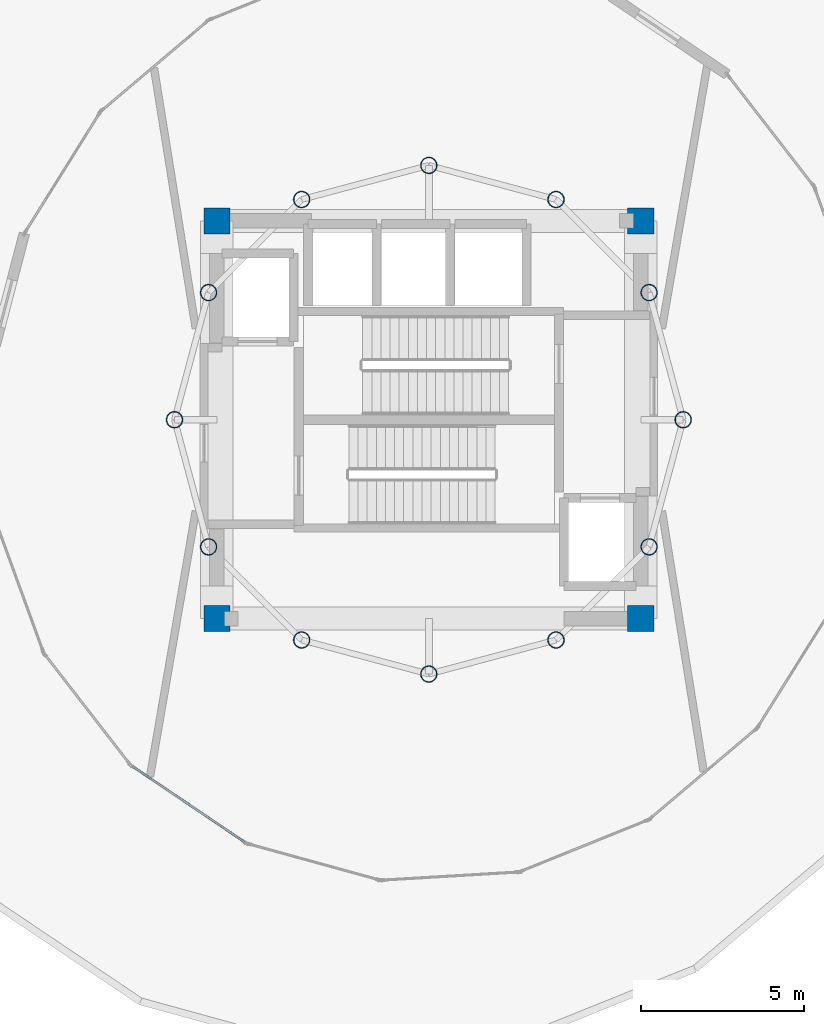
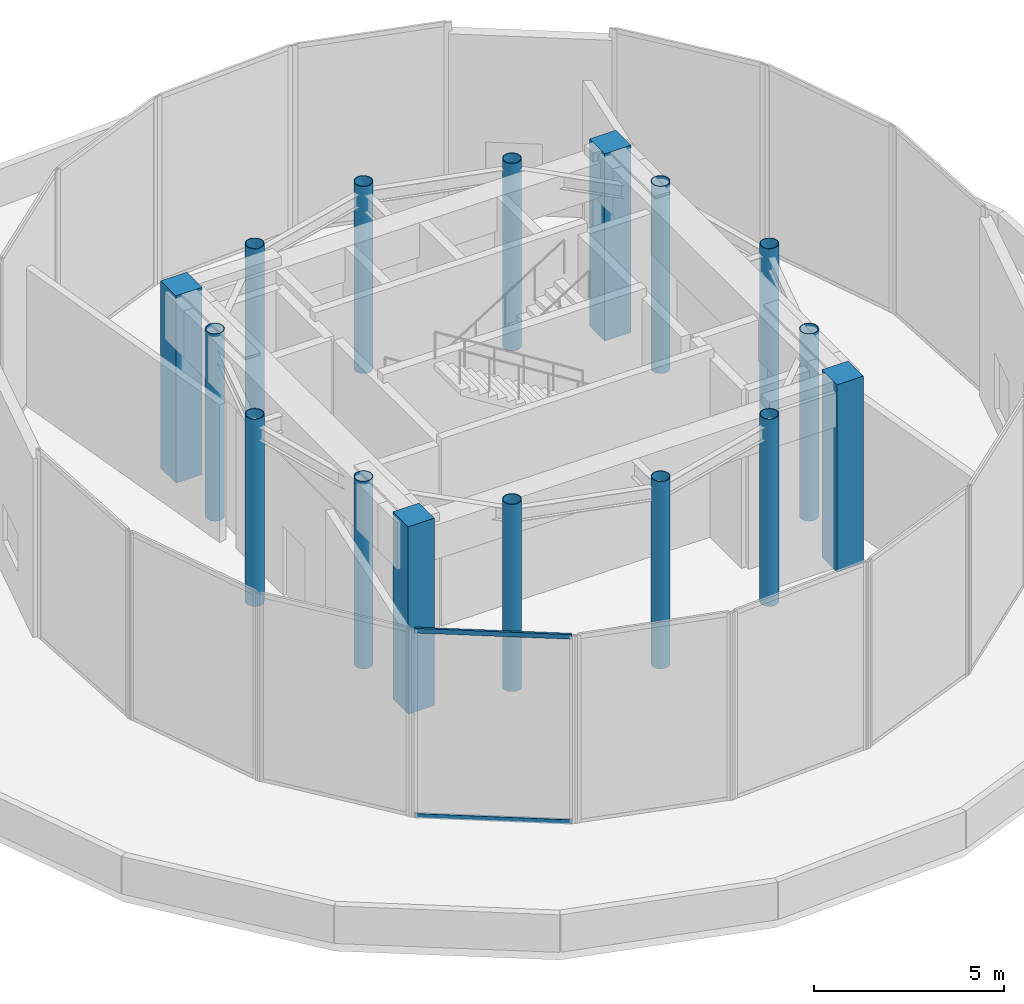
# One storey, part 1 of 12: 16 columns, 2 members, 1 element without a shape of its own.
"""IFC4 building model written with IfcOpenShell, lengths in metres."""

from ifc_helpers import new_model, si_unit, direction, frame, origin, origin_2d, place, context, subcontext, project, spatial, rectangle, hollow_rectangle, hollow_circle, extrude, source, transform, mapped, material, layer, layer_set, material_profile, profile_set, type_object, element, aggregate, save


model = new_model("IFC4")

# Units and contexts
model_context = context("Model", 3, precision=1e-05, world=origin(), true_north=direction((0.0, 1.0)))
body_context = subcontext(model_context, "Body", "Model", "MODEL_VIEW")
ifc_project = project(units=[si_unit("LENGTHUNIT", "METRE"), si_unit("AREAUNIT", "SQUARE_METRE"), si_unit("VOLUMEUNIT", "CUBIC_METRE"), si_unit("PLANEANGLEUNIT", "RADIAN"), si_unit("MASSUNIT", "GRAM", prefix="KILO")], contexts=[model_context])

# Site, building, storey
site_placement = place(None, origin())
site = spatial("IfcSite", under=ifc_project, at=site_placement, CompositionType="ELEMENT")
building_placement = place(site_placement, origin())
building = spatial("IfcBuilding", under=site, at=building_placement, Name="Solvirekh Grand Hotel", CompositionType="ELEMENT")
storey_placement = place(building_placement, frame((0.0, 0.0, 302.199951171875)))
storey = spatial("IfcBuildingStorey", under=building, at=storey_placement, Name="L78", CompositionType="ELEMENT", Elevation=302.199951171875)

# Columns
ifc_material_1 = material(Name="Concrete C50/60", Category="concrete")
ifc_material_profile_1 = material_profile(ifc_material_1, rectangle(XDim=0.800048828125, YDim=0.800048828125, at=origin_2d()), Name="RC 800X800")
ifc_profile_set_1 = profile_set([ifc_material_profile_1], Name="Concrete C50/60")
column_type_1 = type_object("IfcColumnType", Name="Col_Core_800", PredefinedType="COLUMN", material=ifc_profile_set_1)
for number, where, z_axis, x_axis, name in (
    (1, (-6.5, -6.10009765625, 0.0), (0.0, 0.0, 1.0), (1.0, 0.0, 0.0), "L78 core corner column CC1"),
    (2, (6.5, -6.10009765625, 0.0), (0.0, 0.0, 1.0), (1.0, 0.0, 0.0), "L78 core corner column CC2"),
    (3, (6.5, 6.10009765625, 0.0), (0.0, 0.0, 1.0), (1.0, 0.0, 0.0), "L78 core corner column CC3"),
    (4, (-6.5, 6.10009765625, 0.0), (0.0, 0.0, 1.0), (1.0, 0.0, 0.0), "L78 core corner column CC4"),
):
    element("IfcColumn", number, at=place(storey_placement, frame(where, z_axis=z_axis, x_axis=x_axis)), inside=storey, type_object=column_type_1, Name=name, PredefinedType="COLUMN", context=body_context, shape_type="SweptSolid", body=[
        extrude(rectangle(XDim=0.800048828125, YDim=0.800048828125, at=origin_2d()), origin(), (0.0, 0.0, 1.0), 6.0),
    ])
ifc_material_2 = material(Name="Steel S460", Category="steel")
ifc_material_profile_2 = material_profile(ifc_material_2, hollow_circle(Radius=0.25390625, WallThickness=0.02001953125, at=origin_2d()), Name="CHS 508X20")
ifc_profile_set_2 = profile_set([ifc_material_profile_2], Name="Steel S460")
column_type_2 = type_object("IfcColumnType", Name="Col_Crown_CHS508", PredefinedType="COLUMN", material=ifc_profile_set_2)
for number, where, z_axis, x_axis, name in (
    (5, (7.800048828125, 0.0, 0.0), (0.0, 0.0, 1.0), (1.0, 0.0, 0.0), "L78 perimeter column P01"),
    (6, (6.7548828125, 3.89990234375, 0.0), (0.0, 0.0, 1.0), (1.0, 0.0, 0.0), "L78 perimeter column P02"),
    (7, (3.89990234375, 6.7548828125, 0.0), (0.0, 0.0, 1.0), (1.0, 0.0, 0.0), "L78 perimeter column P03"),
    (8, (0.0, 7.800048828125, 0.0), (0.0, 0.0, 1.0), (1.0, 0.0, 0.0), "L78 perimeter column P04"),
    (9, (-3.89990234375, 6.7548828125, 0.0), (0.0, 0.0, 1.0), (1.0, 0.0, 0.0), "L78 perimeter column P05"),
    (10, (-6.7548828125, 3.89990234375, 0.0), (0.0, 0.0, 1.0), (1.0, 0.0, 0.0), "L78 perimeter column P06"),
    (11, (-7.800048828125, 0.0, 0.0), (0.0, 0.0, 1.0), (1.0, 0.0, 0.0), "L78 perimeter column P07"),
    (12, (-6.7548828125, -3.89990234375, 0.0), (0.0, 0.0, 1.0), (1.0, 0.0, 0.0), "L78 perimeter column P08"),
    (13, (-3.89990234375, -6.7548828125, 0.0), (0.0, 0.0, 1.0), (1.0, 0.0, 0.0), "L78 perimeter column P09"),
    (14, (0.0, -7.800048828125, 0.0), (0.0, 0.0, 1.0), (1.0, 0.0, 0.0), "L78 perimeter column P10"),
    (15, (3.89990234375, -6.7548828125, 0.0), (0.0, 0.0, 1.0), (1.0, 0.0, 0.0), "L78 perimeter column P11"),
    (16, (6.7548828125, -3.89990234375, 0.0), (0.0, 0.0, 1.0), (1.0, 0.0, 0.0), "L78 perimeter column P12"),
):
    element("IfcColumn", number, at=place(storey_placement, frame(where, z_axis=z_axis, x_axis=x_axis)), inside=storey, type_object=column_type_2, Name=name, PredefinedType="COLUMN", context=body_context, shape_type="SweptSolid", body=[
        extrude(hollow_circle(Radius=0.25390625, WallThickness=0.02001953125, at=origin_2d()), origin(), (0.0, 0.0, 1.0), 6.0),
    ])

# Curtain wall, members
ifc_material_3 = material(Name="Anodized Bronze Aluminium 6063-T6", Category="aluminium")
ifc_layer = layer(ifc_material_3, 0.219970703125)
ifc_layer_set = layer_set([ifc_layer], Name="Anodized Bronze Aluminium 6063-T6")
curtain_wall_type = type_object("IfcCurtainWallType", Name="CW_Sys6_CrownFacetedPointCW", PredefinedType="NOTDEFINED", material=ifc_layer_set)
curtain_wall_placement = place(storey_placement, origin())
curtain_wall = element("IfcCurtainWall", 17, at=curtain_wall_placement, inside=storey, type_object=curtain_wall_type, Name="L78 unitised bronze-glass curtain wall CW-L78-C19", PredefinedType="NOTDEFINED")
ifc_material_profile_3 = material_profile(ifc_material_3, hollow_rectangle(XDim=0.06494140625, YDim=0.14990234375, WallThickness=0.0048828125, at=origin_2d()), Name="ALU RHS 150X65X5")
ifc_profile_set_3 = profile_set([ifc_material_profile_3], Name="Anodized Bronze Aluminium 6063-T6")
member_type = type_object("IfcMemberType", Name="CWTransom_Sys6", PredefinedType="USERDEFINED", material=ifc_profile_set_3)
shared_shape = source(origin(), body_context, "Body", "SweptSolid", [
    extrude(hollow_rectangle(XDim=0.06494140625, YDim=0.14990234375, WallThickness=0.0048828125, at=origin_2d()), origin(), (0.0, 0.0, 1.0), 4.144775390625),
])
member_1_placement = place(storey_placement, frame((-9.0888671875, -10.6318359375, 0.032470703125), z_axis=(0.828965428398, -0.559299846702, 0.0), x_axis=(0.559299846702, 0.828965428398, 0.0)))
member_1 = element("IfcMember", 18, at=member_1_placement, type_object=member_type, Name="U06 transom 1.1", ObjectType="TRANSOM", PredefinedType="USERDEFINED", context=body_context, shape_type="MappedRepresentation", body=[
    mapped(shared_shape, transform((0.0, 0.0, 0.0), x_axis=(1.0, 0.0, 0.0), y_axis=(0.0, 1.0, 0.0), z_axis=(0.0, 0.0, 1.0), scale=1.0)),
])
member_2_placement = place(storey_placement, frame((-9.0888671875, -10.6318359375, 5.967529296875), z_axis=(0.828965428398, -0.559299846702, 0.0), x_axis=(0.559299846702, 0.828965428398, 0.0)))
member_2 = element("IfcMember", 19, at=member_2_placement, type_object=member_type, Name="U06 transom 1.2", ObjectType="TRANSOM", PredefinedType="USERDEFINED", context=body_context, shape_type="MappedRepresentation", body=[
    mapped(shared_shape, transform((0.0, 0.0, 0.0), x_axis=(1.0, 0.0, 0.0), y_axis=(0.0, 1.0, 0.0), z_axis=(0.0, 0.0, 1.0), scale=1.0)),
])
aggregate(curtain_wall, [member_1, member_2])

save(model, "model.ifc")
